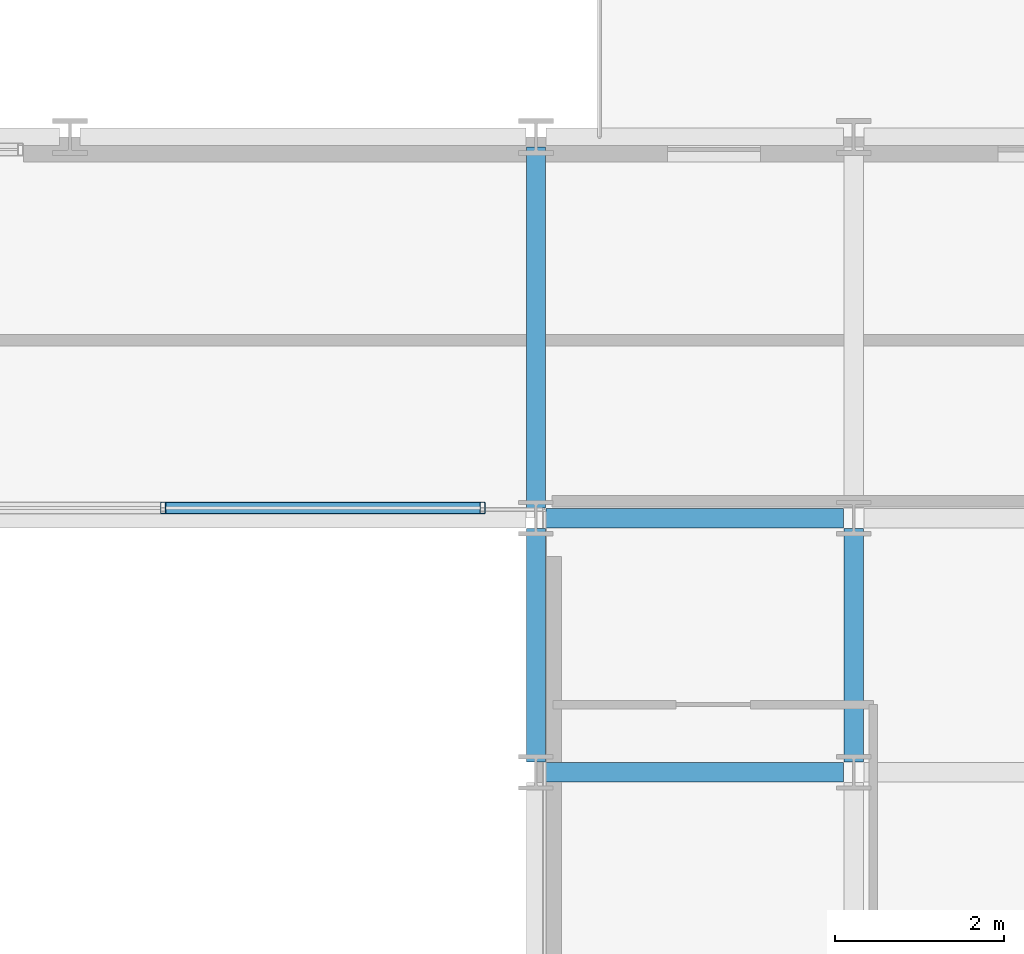
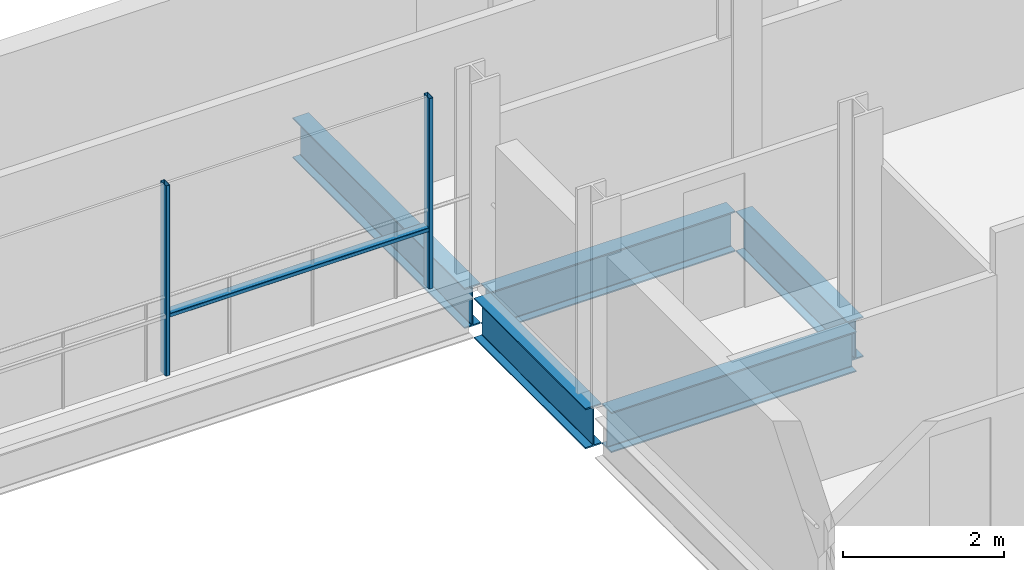
# One storey, part 17 of 40: 5 beams, 3 members, 1 element without a shape of its own.
"""IFC4 building model written with IfcOpenShell, lengths in metres."""

from ifc_helpers import new_model, si_unit, direction, frame, origin, origin_2d, place, context, subcontext, project, spatial, hollow_rectangle, i_section, extrude, material, layer, layer_set, material_profile, profile_set, type_object, element, aggregate, save


model = new_model("IFC4")

# Units and contexts
model_context = context("Model", 3, precision=1e-05, world=origin(), true_north=direction((0.0, 1.0)))
body_context = subcontext(model_context, "Body", "Model", "MODEL_VIEW")
ifc_project = project(units=[si_unit("LENGTHUNIT", "METRE"), si_unit("AREAUNIT", "SQUARE_METRE"), si_unit("VOLUMEUNIT", "CUBIC_METRE"), si_unit("PLANEANGLEUNIT", "RADIAN"), si_unit("MASSUNIT", "GRAM", prefix="KILO")], contexts=[model_context])

# Site, building, storey
site_placement = place(None, origin())
site = spatial("IfcSite", under=ifc_project, at=site_placement, CompositionType="ELEMENT")
building_placement = place(site_placement, origin())
building = spatial("IfcBuilding", under=site, at=building_placement, Name="Brevholm Reach", CompositionType="ELEMENT")
storey_placement = place(building_placement, frame((0.0, 0.0, 119.0)))
storey = spatial("IfcBuildingStorey", under=building, at=storey_placement, Name="L35", CompositionType="ELEMENT", Elevation=119.0)

# Beams
ifc_material_1 = material(Name="Structural Steel S355J2", Category="steel")
ifc_material_profile_1 = material_profile(ifc_material_1, i_section(OverallWidth=0.22900390625, OverallDepth=0.6123046875, WebThickness=0.011962890625, FlangeThickness=0.01953125, FilletRadius=0.0126953125, at=origin_2d()), Name="UKB 610x229x125")
ifc_profile_set_1 = profile_set([ifc_material_profile_1], Name="Structural Steel S355J2")
beam_type = type_object("IfcBeamType", Name="BM-SP610", PredefinedType="SPANDREL", material=ifc_profile_set_1)
for number, where, z_axis, x_axis, name in (
    (1, (38.3701171875, 23.5, -0.526123046875), (1.0, 0.0, 0.0), (0.0, 1.0, 0.0), "L35 SP-01 Framing Beam"),
    (2, (38.3701171875, 26.5, -0.526123046875), (1.0, 0.0, 0.0), (0.0, 1.0, 0.0), "L35 SP-01 Framing Beam"),
):
    element("IfcBeam", number, at=place(storey_placement, frame(where, z_axis=z_axis, x_axis=x_axis)), inside=storey, type_object=beam_type, Name=name, PredefinedType="SPANDREL", context=body_context, shape_type="SweptSolid", body=[
        extrude(i_section(OverallWidth=0.22900390625, OverallDepth=0.6123046875, WebThickness=0.011962890625, FlangeThickness=0.01953125, FilletRadius=0.0126953125, at=origin_2d()), origin(), (0.0, 0.0, 1.0), 3.509765625),
    ])
beam_1_placement = place(storey_placement, frame((38.25, 23.6201171875, -0.526123046875), z_axis=(0.0, 1.0, 0.0), x_axis=(-1.0, 0.0, 0.0)))
element("IfcBeam", 3, at=beam_1_placement, inside=storey, type_object=beam_type, Name="L35 SP-01 Framing Beam", PredefinedType="SPANDREL", context=body_context, shape_type="SweptSolid", body=[
    extrude(i_section(OverallWidth=0.22900390625, OverallDepth=0.6123046875, WebThickness=0.011962890625, FlangeThickness=0.01953125, FilletRadius=0.0126953125, at=origin_2d()), origin(), (0.0, 0.0, 1.0), 2.759765625),
])
beam_2_placement = place(storey_placement, frame((38.25, 26.6201171875, -0.526123046875), z_axis=(0.0, 1.0, 0.0), x_axis=(-1.0, 0.0, 0.0)))
element("IfcBeam", 4, at=beam_2_placement, inside=storey, type_object=beam_type, Name="L35 SP-01 Framing Beam", PredefinedType="SPANDREL", context=body_context, shape_type="SweptSolid", body=[
    extrude(i_section(OverallWidth=0.22900390625, OverallDepth=0.6123046875, WebThickness=0.011962890625, FlangeThickness=0.01953125, FilletRadius=0.0126953125, at=origin_2d()), origin(), (0.0, 0.0, 1.0), 4.259765625),
])
beam_3_placement = place(storey_placement, frame((42.0, 23.6201171875, -0.526123046875), z_axis=(0.0, 1.0, 0.0), x_axis=(-1.0, 0.0, 0.0)))
element("IfcBeam", 5, at=beam_3_placement, inside=storey, type_object=beam_type, Name="L35 SP-01 Framing Beam", PredefinedType="SPANDREL", context=body_context, shape_type="SweptSolid", body=[
    extrude(i_section(OverallWidth=0.22900390625, OverallDepth=0.6123046875, WebThickness=0.011962890625, FlangeThickness=0.01953125, FilletRadius=0.0126953125, at=origin_2d()), origin(), (0.0, 0.0, 1.0), 2.759765625),
])

# Curtain wall, members
ifc_material_2 = material(Name="Dark Anodised Aluminium 6063-T6 and Solar-Control Glass", Category="aluminium")
ifc_layer = layer(ifc_material_2, 0.139892578125)
ifc_layer_set = layer_set([ifc_layer], Name="Dark Anodised Aluminium 6063-T6 and Solar-Control Glass")
curtain_wall_type = type_object("IfcCurtainWallType", Name="CW-02", PredefinedType="NOTDEFINED", material=ifc_layer_set)
curtain_wall_placement = place(storey_placement, origin())
curtain_wall = element("IfcCurtainWall", 6, at=curtain_wall_placement, inside=storey, type_object=curtain_wall_type, Name="L35 Curtain Wall CW-02", PredefinedType="NOTDEFINED")
ifc_material_3 = material(Name="Dark Anodised Aluminium 6063-T6", Category="aluminium")
ifc_material_profile_2 = material_profile(ifc_material_3, hollow_rectangle(XDim=0.06005859375, YDim=0.139892578125, WallThickness=0.0048828125, InnerFilletRadius=0.0048828125, OuterFilletRadius=0.010009765625, at=origin_2d()), Name="RHS 140x60x5")
ifc_profile_set_2 = profile_set([ifc_material_profile_2], Name="Dark Anodised Aluminium 6063-T6")
member_type_1 = type_object("IfcMemberType", Name="CWM-140", PredefinedType="MULLION", material=ifc_profile_set_2)
member_1_placement = place(storey_placement, frame((37.6201171875, 26.6201171875, 0.0), z_axis=(0.0, 0.0, 1.0), x_axis=(-1.0, 0.0, 0.0)))
member_1 = element("IfcMember", 7, at=member_1_placement, type_object=member_type_1, Name="CM-140 Mullion 1", PredefinedType="MULLION", context=body_context, shape_type="SweptSolid", body=[
    extrude(hollow_rectangle(XDim=0.06005859375, YDim=0.139892578125, WallThickness=0.0048828125, InnerFilletRadius=0.0048828125, OuterFilletRadius=0.010009765625, at=origin_2d()), origin(), (0.0, 0.0, 1.0), 2.8798828125),
])
member_2_placement = place(storey_placement, frame((33.85009765625, 26.6201171875, 0.0), z_axis=(0.0, 0.0, 1.0), x_axis=(-1.0, 0.0, 0.0)))
member_2 = element("IfcMember", 8, at=member_2_placement, type_object=member_type_1, Name="CM-140 Mullion 2", PredefinedType="MULLION", context=body_context, shape_type="SweptSolid", body=[
    extrude(hollow_rectangle(XDim=0.06005859375, YDim=0.139892578125, WallThickness=0.0048828125, InnerFilletRadius=0.0048828125, OuterFilletRadius=0.010009765625, at=origin_2d()), origin(), (0.0, 0.0, 1.0), 2.8798828125),
])
ifc_material_4 = material(Name="Dark Anodised Aluminium 6063-T6", Category="aluminium")
ifc_material_profile_3 = material_profile(ifc_material_4, hollow_rectangle(XDim=0.06005859375, YDim=0.139892578125, WallThickness=0.0048828125, InnerFilletRadius=0.0048828125, OuterFilletRadius=0.010009765625, at=origin_2d()), Name="RHS 140x60x5")
ifc_profile_set_3 = profile_set([ifc_material_profile_3], Name="Dark Anodised Aluminium 6063-T6")
member_type_2 = type_object("IfcMemberType", Name="CWT-140", PredefinedType="NOTDEFINED", material=ifc_profile_set_3)
member_3_placement = place(storey_placement, frame((37.590087890625, 26.6201171875, 0.89990234375), z_axis=(-1.0, 0.0, 0.0), x_axis=(0.0, 0.0, 1.0)))
member_3 = element("IfcMember", 9, at=member_3_placement, type_object=member_type_2, Name="CT-140 Transom 1.1", ObjectType="TRANSOM", PredefinedType="USERDEFINED", context=body_context, shape_type="SweptSolid", body=[
    extrude(hollow_rectangle(XDim=0.06005859375, YDim=0.139892578125, WallThickness=0.0048828125, InnerFilletRadius=0.0048828125, OuterFilletRadius=0.010009765625, at=origin_2d()), origin(), (0.0, 0.0, 1.0), 3.710205078125),
])
aggregate(curtain_wall, [member_1, member_2, member_3])

save(model, "model.ifc")
